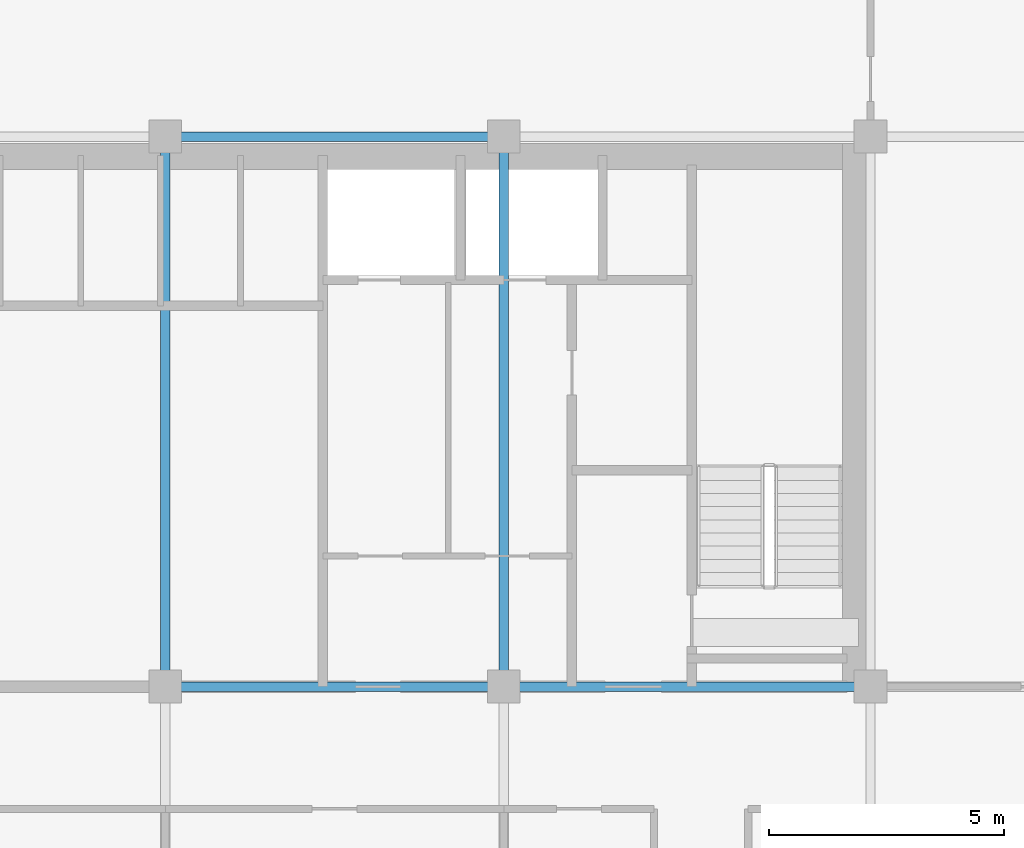
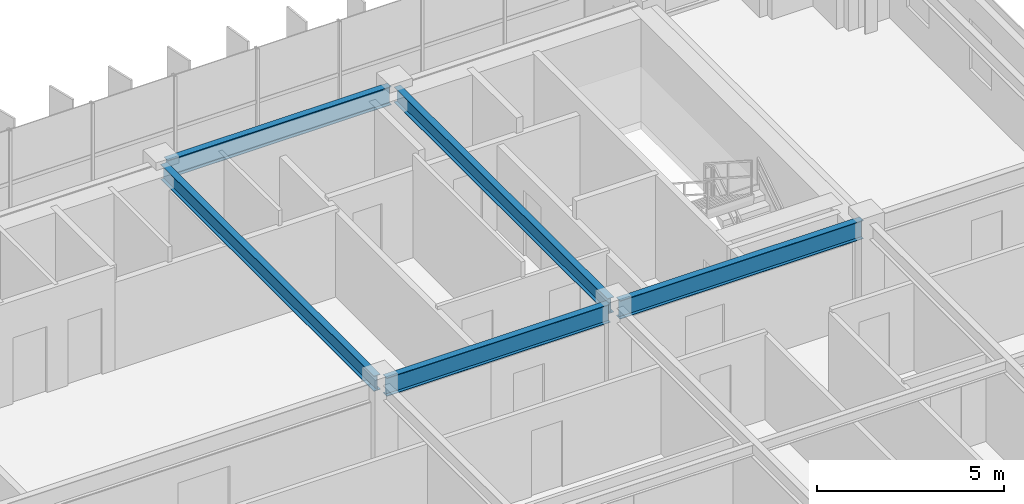
# One storey, part 8 of 20: 5 beams.
"""IFC4 building model written with IfcOpenShell, lengths in metres."""

from ifc_helpers import new_model, si_unit, direction, frame, origin, origin_2d, place, context, subcontext, project, spatial, i_section, extrude, source, transform, mapped, material, material_profile, profile_set, type_object, element, save


model = new_model("IFC4")

# Units and contexts
model_context = context("Model", 3, precision=1e-05, world=origin(), true_north=direction((0.0, 1.0)))
body_context = subcontext(model_context, "Body", "Model", "MODEL_VIEW")
ifc_project = project(units=[si_unit("LENGTHUNIT", "METRE"), si_unit("AREAUNIT", "SQUARE_METRE"), si_unit("VOLUMEUNIT", "CUBIC_METRE"), si_unit("PLANEANGLEUNIT", "RADIAN"), si_unit("MASSUNIT", "GRAM", prefix="KILO")], contexts=[model_context])

# Site, building, storey
site_placement = place(None, origin())
site = spatial("IfcSite", under=ifc_project, at=site_placement, CompositionType="ELEMENT")
building_placement = place(site_placement, origin())
building = spatial("IfcBuilding", under=site, at=building_placement, Name="Trelvane Seafront Commons", CompositionType="ELEMENT")
storey_placement = place(building_placement, frame((0.0, 0.0, 142.89990234375)))
storey = spatial("IfcBuildingStorey", under=building, at=storey_placement, Name="L37", CompositionType="ELEMENT", Elevation=142.89990234375)

# Beams
ifc_material = material(Name="Steel SM355 (S355)", Category="steel")
ifc_material_profile_1 = material_profile(ifc_material, i_section(OverallWidth=0.199951171875, OverallDepth=0.5, WebThickness=0.010009765625, FlangeThickness=0.01611328125, at=origin_2d()), Name="H-500x200x10x16")
ifc_profile_set_1 = profile_set([ifc_material_profile_1], Name="Steel SM355 (S355)")
beam_type_1 = type_object("IfcBeamType", Name="STR-BM-H500", PredefinedType="BEAM", material=ifc_profile_set_1)
shared_shape_1 = source(origin(), body_context, "Body", "SweptSolid", [
    extrude(i_section(OverallWidth=0.199951171875, OverallDepth=0.5, WebThickness=0.010009765625, FlangeThickness=0.01611328125, at=origin_2d()), origin(), (0.0, 0.0, 1.0), 11.39990234375),
])
for number, where, z_axis, x_axis, name in (
    (1, (43.800048828125, 33.550048828125, 3.10009765625), (0.0, 1.0, 0.0), (-1.0, 0.0, 0.0), "L37 Primary Girder G-43"),
    (2, (51.0, 33.550048828125, 3.10009765625), (0.0, 1.0, 0.0), (-1.0, 0.0, 0.0), "L37 Primary Girder G-46"),
):
    element("IfcBeam", number, at=place(storey_placement, frame(where, z_axis=z_axis, x_axis=x_axis)), inside=storey, type_object=beam_type_1, Name=name, PredefinedType="BEAM", context=body_context, shape_type="MappedRepresentation", body=[
        mapped(shared_shape_1, transform((0.0, 0.0, 0.0), x_axis=(1.0, 0.0, 0.0), y_axis=(0.0, 1.0, 0.0), z_axis=(0.0, 0.0, 1.0), scale=1.0)),
    ])
ifc_material_profile_2 = material_profile(ifc_material, i_section(OverallWidth=0.199951171875, OverallDepth=0.60009765625, WebThickness=0.010986328125, FlangeThickness=0.01708984375, at=origin_2d()), Name="H-600x200x11x17")
ifc_profile_set_2 = profile_set([ifc_material_profile_2], Name="Steel SM355 (S355)")
beam_type_2 = type_object("IfcBeamType", Name="STR-SPD-H600", PredefinedType="SPANDREL", material=ifc_profile_set_2)
shared_shape_2 = source(origin(), body_context, "Body", "SweptSolid", [
    extrude(i_section(OverallWidth=0.199951171875, OverallDepth=0.60009765625, WebThickness=0.010986328125, FlangeThickness=0.01708984375, at=origin_2d()), origin(), (0.0, 0.0, 1.0), 7.5),
])
beam_placement = place(storey_placement, frame((51.14990234375, 33.39990234375, 3.050048828125), z_axis=(1.0, 0.0, 0.0), x_axis=(0.0, 1.0, 0.0)))
element("IfcBeam", 3, at=beam_placement, inside=storey, type_object=beam_type_2, Name="L37 Primary Girder G-20", PredefinedType="SPANDREL", context=body_context, shape_type="MappedRepresentation", body=[
    mapped(shared_shape_2, transform((0.0, 0.0, 0.0), x_axis=(1.0, 0.0, 0.0), y_axis=(0.0, 1.0, 0.0), z_axis=(0.0, 0.0, 1.0), scale=1.0)),
])
shared_shape_3 = source(origin(), body_context, "Body", "SweptSolid", [
    extrude(i_section(OverallWidth=0.199951171875, OverallDepth=0.60009765625, WebThickness=0.010986328125, FlangeThickness=0.01708984375, at=origin_2d()), origin(), (0.0, 0.0, 1.0), 6.900146484375),
])
for number, where, z_axis, x_axis, name in (
    (4, (43.949951171875, 33.39990234375, 3.050048828125), (1.0, 0.0, 0.0), (0.0, 1.0, 0.0), "L37 Primary Girder G-19"),
    (5, (43.949951171875, 45.10009765625, 3.050048828125), (1.0, 0.0, 0.0), (0.0, 1.0, 0.0), "L37 Primary Girder G-26"),
):
    element("IfcBeam", number, at=place(storey_placement, frame(where, z_axis=z_axis, x_axis=x_axis)), inside=storey, type_object=beam_type_2, Name=name, PredefinedType="SPANDREL", context=body_context, shape_type="MappedRepresentation", body=[
        mapped(shared_shape_3, transform((0.0, 0.0, 0.0), x_axis=(1.0, 0.0, 0.0), y_axis=(0.0, 1.0, 0.0), z_axis=(0.0, 0.0, 1.0), scale=1.0)),
    ])

save(model, "model.ifc")
